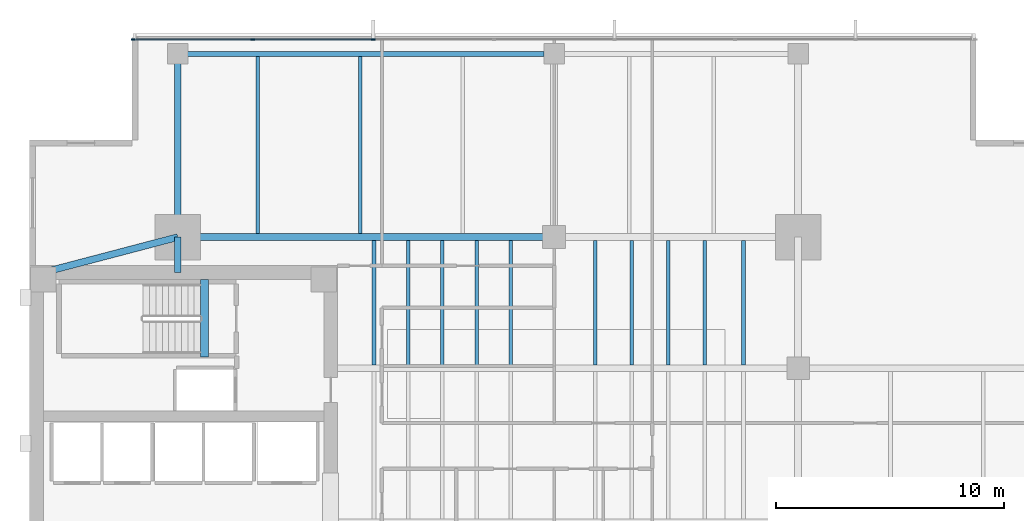
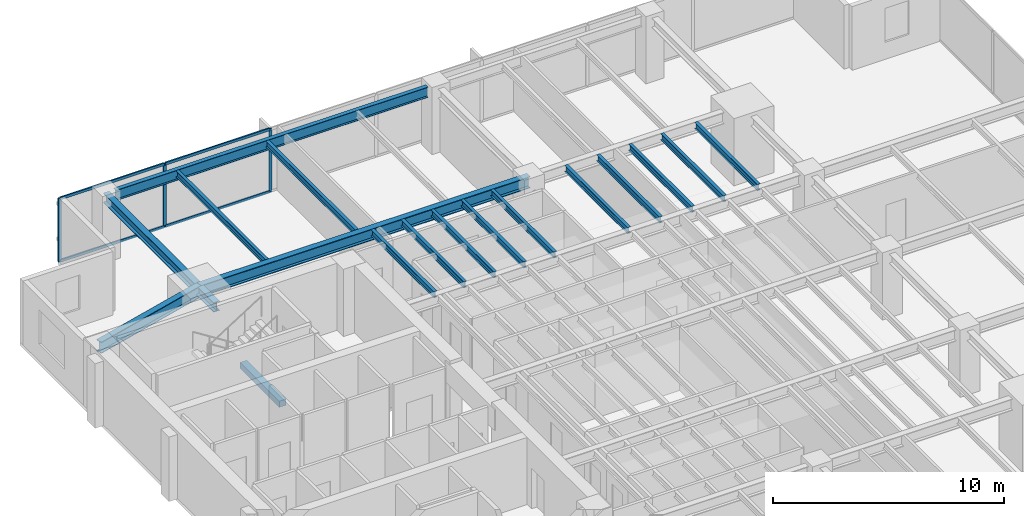
# One storey, part 5 of 14: 18 beams, 7 members, 1 element without a shape of its own.
"""IFC4 building model written with IfcOpenShell, lengths in metres."""

from ifc_helpers import new_model, si_unit, direction, frame, origin, origin_2d, place, context, subcontext, project, spatial, rectangle, i_section, extrude, material, layer, layer_set, material_profile, profile_set, type_object, element, aggregate, save


model = new_model("IFC4")

# Units and contexts
model_context = context("Model", 3, precision=1e-05, world=origin(), true_north=direction((0.0, 1.0)))
body_context = subcontext(model_context, "Body", "Model", "MODEL_VIEW")
ifc_project = project(units=[si_unit("LENGTHUNIT", "METRE"), si_unit("AREAUNIT", "SQUARE_METRE"), si_unit("VOLUMEUNIT", "CUBIC_METRE"), si_unit("PLANEANGLEUNIT", "RADIAN"), si_unit("MASSUNIT", "GRAM", prefix="KILO")], contexts=[model_context])

# Site, building, storey
site_placement = place(None, origin())
site = spatial("IfcSite", under=ifc_project, at=site_placement, CompositionType="ELEMENT")
building_placement = place(site_placement, origin())
building = spatial("IfcBuilding", under=site, at=building_placement, Name="Kinhvarn Gate Tower", CompositionType="ELEMENT")
storey_placement = place(building_placement, frame((0.0, 0.0, 159.050048828125)))
storey = spatial("IfcBuildingStorey", under=building, at=storey_placement, Name="L42", CompositionType="ELEMENT", Elevation=159.050048828125)

# Beam
ifc_material_1 = material(Name="Concrete C50/60", Category="concrete")
ifc_material_profile_1 = material_profile(ifc_material_1, rectangle(XDim=0.340087890625, YDim=0.320068359375, at=origin_2d()), Name="RC 340x320")
ifc_profile_set_1 = profile_set([ifc_material_profile_1], Name="Concrete C50/60")
beam_type_1 = type_object("IfcBeamType", Name="BM-LND-500", PredefinedType="BEAM", material=ifc_profile_set_1)
beam_1_placement = place(storey_placement, frame((12.1650390625, 32.5, -0.16015625), z_axis=(0.0, 1.0, 0.0), x_axis=(-1.0, 0.0, 0.0)))
element("IfcBeam", 1, at=beam_1_placement, inside=storey, type_object=beam_type_1, Name="Stair ST2 Landing Nosing Beam (L42)", PredefinedType="BEAM", context=body_context, shape_type="SweptSolid", body=[
    extrude(rectangle(XDim=0.340087890625, YDim=0.320068359375, at=origin_2d()), origin(), (0.0, 0.0, 1.0), 3.39990234375),
])

# Curtain wall, members
ifc_material_2 = material(Name="Anodised aluminium AW-6063", Category="aluminium")
ifc_layer = layer(ifc_material_2, 0.179931640625)
ifc_layer_set = layer_set([ifc_layer], Name="Anodised aluminium AW-6063")
curtain_wall_type = type_object("IfcCurtainWallType", Name="CW-SYS-3", PredefinedType="NOTDEFINED", material=ifc_layer_set)
curtain_wall_placement = place(storey_placement, origin())
curtain_wall = element("IfcCurtainWall", 2, at=curtain_wall_placement, inside=storey, type_object=curtain_wall_type, Name="Curtain Wall CW3 (L42)", PredefinedType="NOTDEFINED")
ifc_material_profile_2 = material_profile(ifc_material_2, rectangle(XDim=0.06494140625, YDim=0.159912109375, at=origin_2d()), Name="ALU 65x160")
ifc_profile_set_2 = profile_set([ifc_material_profile_2], Name="Anodised aluminium AW-6063")
member_type_1 = type_object("IfcMemberType", Name="CW-MUL-160", PredefinedType="MULLION", material=ifc_profile_set_2)
member_1_placement = place(storey_placement, frame((19.571533203125, 46.409912109375, 0.0), z_axis=(0.0, 0.0, 1.0), x_axis=(0.0, -1.0, 0.0)))
member_1 = element("IfcMember", 3, at=member_1_placement, type_object=member_type_1, Name="CW3 mullion 6", PredefinedType="MULLION", context=body_context, shape_type="SweptSolid", body=[
    extrude(rectangle(XDim=0.06494140625, YDim=0.159912109375, at=origin_2d()), origin(), (0.0, 0.0, 1.0), 3.369873046875),
])
member_2_placement = place(storey_placement, frame((14.28564453125, 46.409912109375, 0.0), z_axis=(0.0, 0.0, 1.0), x_axis=(0.0, -1.0, 0.0)))
member_2 = element("IfcMember", 4, at=member_2_placement, type_object=member_type_1, Name="CW3 mullion 7", PredefinedType="MULLION", context=body_context, shape_type="SweptSolid", body=[
    extrude(rectangle(XDim=0.06494140625, YDim=0.159912109375, at=origin_2d()), origin(), (0.0, 0.0, 1.0), 3.369873046875),
])
member_3_placement = place(storey_placement, frame((9.032470703125, 46.409912109375, 0.0), z_axis=(0.0, 0.0, 1.0), x_axis=(0.0, -1.0, 0.0)))
member_3 = element("IfcMember", 5, at=member_3_placement, type_object=member_type_1, Name="CW3 mullion 8", PredefinedType="MULLION", context=body_context, shape_type="SweptSolid", body=[
    extrude(rectangle(XDim=0.06494140625, YDim=0.159912109375, at=origin_2d()), origin(), (0.0, 0.0, 1.0), 3.369873046875),
])
ifc_material_profile_3 = material_profile(ifc_material_2, rectangle(XDim=0.070068359375, YDim=0.139892578125, at=origin_2d()), Name="ALU 70x140")
ifc_profile_set_3 = profile_set([ifc_material_profile_3], Name="Anodised aluminium AW-6063")
member_type_2 = type_object("IfcMemberType", Name="CW-TRN-140", PredefinedType="USERDEFINED", material=ifc_profile_set_3)
member_4_placement = place(storey_placement, frame((19.538818359375, 46.409912109375, 0.034912109375), z_axis=(-1.0, 0.0, 0.0), x_axis=(0.0, -1.0, 0.0)))
member_4 = element("IfcMember", 6, at=member_4_placement, type_object=member_type_2, Name="CW3 transom 6.1", ObjectType="TRANSOM", PredefinedType="USERDEFINED", context=body_context, shape_type="SweptSolid", body=[
    extrude(rectangle(XDim=0.070068359375, YDim=0.139892578125, at=origin_2d()), origin(), (0.0, 0.0, 1.0), 5.220703125),
])
member_5_placement = place(storey_placement, frame((19.538818359375, 46.409912109375, 3.3349609375), z_axis=(-1.0, 0.0, 0.0), x_axis=(0.0, -1.0, 0.0)))
member_5 = element("IfcMember", 7, at=member_5_placement, type_object=member_type_2, Name="CW3 transom 6.2", ObjectType="TRANSOM", PredefinedType="USERDEFINED", context=body_context, shape_type="SweptSolid", body=[
    extrude(rectangle(XDim=0.070068359375, YDim=0.139892578125, at=origin_2d()), origin(), (0.0, 0.0, 1.0), 5.220703125),
])
member_6_placement = place(storey_placement, frame((14.253173828125, 46.409912109375, 0.034912109375), z_axis=(-1.0, 0.0, 0.0), x_axis=(0.0, -1.0, 0.0)))
member_6 = element("IfcMember", 8, at=member_6_placement, type_object=member_type_2, Name="CW3 transom 7.1", ObjectType="TRANSOM", PredefinedType="USERDEFINED", context=body_context, shape_type="SweptSolid", body=[
    extrude(rectangle(XDim=0.070068359375, YDim=0.139892578125, at=origin_2d()), origin(), (0.0, 0.0, 1.0), 5.188232421875),
])
member_7_placement = place(storey_placement, frame((14.253173828125, 46.409912109375, 3.3349609375), z_axis=(-1.0, 0.0, 0.0), x_axis=(0.0, -1.0, 0.0)))
member_7 = element("IfcMember", 9, at=member_7_placement, type_object=member_type_2, Name="CW3 transom 7.2", ObjectType="TRANSOM", PredefinedType="USERDEFINED", context=body_context, shape_type="SweptSolid", body=[
    extrude(rectangle(XDim=0.070068359375, YDim=0.139892578125, at=origin_2d()), origin(), (0.0, 0.0, 1.0), 5.188232421875),
])
aggregate(curtain_wall, [member_1, member_2, member_3, member_4, member_5, member_6, member_7])

# Beams
ifc_material_3 = material(Name="Steel S355", Category="steel")
ifc_material_profile_4 = material_profile(ifc_material_3, i_section(OverallWidth=0.300048828125, OverallDepth=0.5, WebThickness=0.014404296875, FlangeThickness=0.028076171875, at=origin_2d()), Name="HEB 500")
ifc_profile_set_4 = profile_set([ifc_material_profile_4], Name="Steel S355")
beam_type_2 = type_object("IfcBeamType", Name="STL-HEB500", PredefinedType="BEAM", material=ifc_profile_set_4)
beam_2_placement = place(storey_placement, frame((11.0, 36.199951171875, 3.119873046875), z_axis=(0.0, 1.0, 0.0), x_axis=(-1.0, 0.0, 0.0)))
element("IfcBeam", 10, at=beam_2_placement, inside=storey, type_object=beam_type_2, Name="Floor Beam PG-14 (L42 MCW-CN)", PredefinedType="BEAM", context=body_context, shape_type="SweptSolid", body=[
    extrude(i_section(OverallWidth=0.300048828125, OverallDepth=0.5, WebThickness=0.014404296875, FlangeThickness=0.028076171875, at=origin_2d()), origin(), (0.0, 0.0, 1.0), 1.550048828125),
])
beam_3_placement = place(storey_placement, frame((11.0, 37.75, 3.119873046875), z_axis=(0.0, 1.0, 0.0), x_axis=(-1.0, 0.0, 0.0)))
element("IfcBeam", 11, at=beam_3_placement, inside=storey, type_object=beam_type_2, Name="Floor Beam PG-14 (L42 MCW-N)", PredefinedType="BEAM", context=body_context, shape_type="SweptSolid", body=[
    extrude(i_section(OverallWidth=0.300048828125, OverallDepth=0.5, WebThickness=0.014404296875, FlangeThickness=0.028076171875, at=origin_2d()), origin(), (0.0, 0.0, 1.0), 8.030029296875),
])
ifc_material_profile_5 = material_profile(ifc_material_3, i_section(OverallWidth=0.300048828125, OverallDepth=0.60009765625, WebThickness=0.015380859375, FlangeThickness=0.030029296875, at=origin_2d()), Name="HEB 600")
ifc_profile_set_5 = profile_set([ifc_material_profile_5], Name="Steel S355")
beam_type_3 = type_object("IfcBeamType", Name="STL-HEB600", PredefinedType="BEAM", material=ifc_profile_set_5)
beam_4_placement = place(storey_placement, frame((11.0, 37.75, 3.070068359375), z_axis=(1.0, 0.0, 0.0), x_axis=(0.0, 1.0, 0.0)))
element("IfcBeam", 12, at=beam_4_placement, inside=storey, type_object=beam_type_3, Name="Floor Beam PG-16 (L42 MG-N1)", PredefinedType="BEAM", context=body_context, shape_type="SweptSolid", body=[
    extrude(i_section(OverallWidth=0.300048828125, OverallDepth=0.60009765625, WebThickness=0.015380859375, FlangeThickness=0.030029296875, at=origin_2d()), origin(), (0.0, 0.0, 1.0), 16.5),
])
beam_5_placement = place(storey_placement, frame((5.10009765625, 36.199951171875, 3.070068359375), z_axis=(0.967177623957, 0.254101246979, 0.0), x_axis=(-0.254101246979, 0.967177623957, 0.0)))
element("IfcBeam", 13, at=beam_5_placement, inside=storey, type_object=beam_type_3, Name="Floor Beam PG-16 (L42 MG-NW-DIAG)", PredefinedType="BEAM", context=body_context, shape_type="SweptSolid", body=[
    extrude(i_section(OverallWidth=0.300048828125, OverallDepth=0.60009765625, WebThickness=0.015380859375, FlangeThickness=0.030029296875, at=origin_2d()), origin(), (0.0, 0.0, 1.0), 6.10009765625),
])
ifc_material_profile_6 = material_profile(ifc_material_3, i_section(OverallWidth=0.159912109375, OverallDepth=0.330078125, WebThickness=0.007568359375, FlangeThickness=0.011474609375, at=origin_2d()), Name="IPE 330")
ifc_profile_set_6 = profile_set([ifc_material_profile_6], Name="Steel S355")
beam_type_4 = type_object("IfcBeamType", Name="STL-IPE330", PredefinedType="JOIST", material=ifc_profile_set_6)
for number, where, z_axis, x_axis, name in (
    (14, (19.60009765625, 32.14990234375, 3.204833984375), (0.0, 1.0, 0.0), (-1.0, 0.0, 0.0), "Floor Joist SB-03 (L42 JC-X196-3)"),
    (15, (21.10009765625, 32.14990234375, 3.204833984375), (0.0, 1.0, 0.0), (-1.0, 0.0, 0.0), "Floor Joist SB-03 (L42 JC-X211-3)"),
    (16, (22.60009765625, 32.14990234375, 3.204833984375), (0.0, 1.0, 0.0), (-1.0, 0.0, 0.0), "Floor Joist SB-03 (L42 JC-X226-3)"),
    (17, (24.10009765625, 32.14990234375, 3.204833984375), (0.0, 1.0, 0.0), (-1.0, 0.0, 0.0), "Floor Joist SB-03 (L42 JC-X241-3)"),
    (18, (25.60009765625, 32.14990234375, 3.204833984375), (0.0, 1.0, 0.0), (-1.0, 0.0, 0.0), "Floor Joist SB-03 (L42 JC-X256-3)"),
    (19, (29.300048828125, 32.14990234375, 3.204833984375), (0.0, 1.0, 0.0), (-1.0, 0.0, 0.0), "Floor Joist SB-03 (L42 JC-X293-3)"),
    (20, (30.89990234375, 32.14990234375, 3.204833984375), (0.0, 1.0, 0.0), (-1.0, 0.0, 0.0), "Floor Joist SB-03 (L42 JC-X309-3)"),
    (21, (32.5, 32.14990234375, 3.204833984375), (0.0, 1.0, 0.0), (-1.0, 0.0, 0.0), "Floor Joist SB-03 (L42 JC-X325-3)"),
    (22, (34.10009765625, 32.14990234375, 3.204833984375), (0.0, 1.0, 0.0), (-1.0, 0.0, 0.0), "Floor Joist SB-03 (L42 JC-X341-3)"),
    (23, (35.800048828125, 32.14990234375, 3.204833984375), (0.0, 1.0, 0.0), (-1.0, 0.0, 0.0), "Floor Joist SB-03 (L42 JC-X358-3)"),
):
    element("IfcBeam", number, at=place(storey_placement, frame(where, z_axis=z_axis, x_axis=x_axis)), inside=storey, type_object=beam_type_4, Name=name, PredefinedType="JOIST", context=body_context, shape_type="SweptSolid", body=[
        extrude(i_section(OverallWidth=0.159912109375, OverallDepth=0.330078125, WebThickness=0.007568359375, FlangeThickness=0.011474609375, at=origin_2d()), origin(), (0.0, 0.0, 1.0), 5.4501953125),
    ])
for number, where, z_axis, x_axis, name in (
    (24, (14.5, 37.89990234375, 3.204833984375), (0.0, 1.0, 0.0), (-1.0, 0.0, 0.0), "Floor Joist SB-03 (L42 JN-X145)"),
    (25, (19.0, 37.89990234375, 3.204833984375), (0.0, 1.0, 0.0), (-1.0, 0.0, 0.0), "Floor Joist SB-03 (L42 JN-X190)"),
):
    element("IfcBeam", number, at=place(storey_placement, frame(where, z_axis=z_axis, x_axis=x_axis)), inside=storey, type_object=beam_type_4, Name=name, PredefinedType="JOIST", context=body_context, shape_type="SweptSolid", body=[
        extrude(i_section(OverallWidth=0.159912109375, OverallDepth=0.330078125, WebThickness=0.007568359375, FlangeThickness=0.011474609375, at=origin_2d()), origin(), (0.0, 0.0, 1.0), 7.775146484375),
    ])
ifc_material_profile_7 = material_profile(ifc_material_3, i_section(OverallWidth=0.2099609375, OverallDepth=0.550048828125, WebThickness=0.010986328125, FlangeThickness=0.01708984375, at=origin_2d()), Name="IPE 550")
ifc_profile_set_7 = profile_set([ifc_material_profile_7], Name="Steel S355")
beam_type_5 = type_object("IfcBeamType", Name="STL-IPE550", PredefinedType="SPANDREL", material=ifc_profile_set_7)
beam_6_placement = place(storey_placement, frame((11.43505859375, 45.780029296875, 3.094970703125), z_axis=(1.0, 0.0, 0.0), x_axis=(0.0, 1.0, 0.0)))
element("IfcBeam", 26, at=beam_6_placement, inside=storey, type_object=beam_type_5, Name="Floor Spandrel SB-08 (L42 SP-N1)", PredefinedType="SPANDREL", context=body_context, shape_type="SweptSolid", body=[
    extrude(i_section(OverallWidth=0.2099609375, OverallDepth=0.550048828125, WebThickness=0.010986328125, FlangeThickness=0.01708984375, at=origin_2d()), origin(), (0.0, 0.0, 1.0), 15.6298828125),
])

save(model, "model.ifc")
